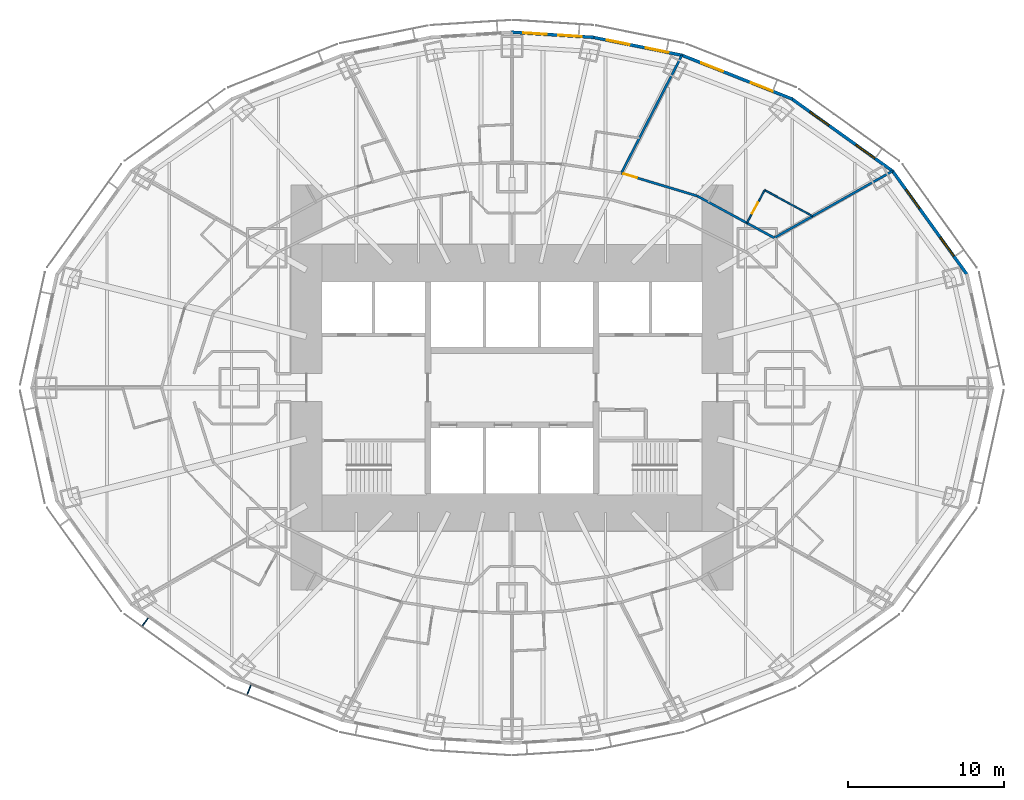
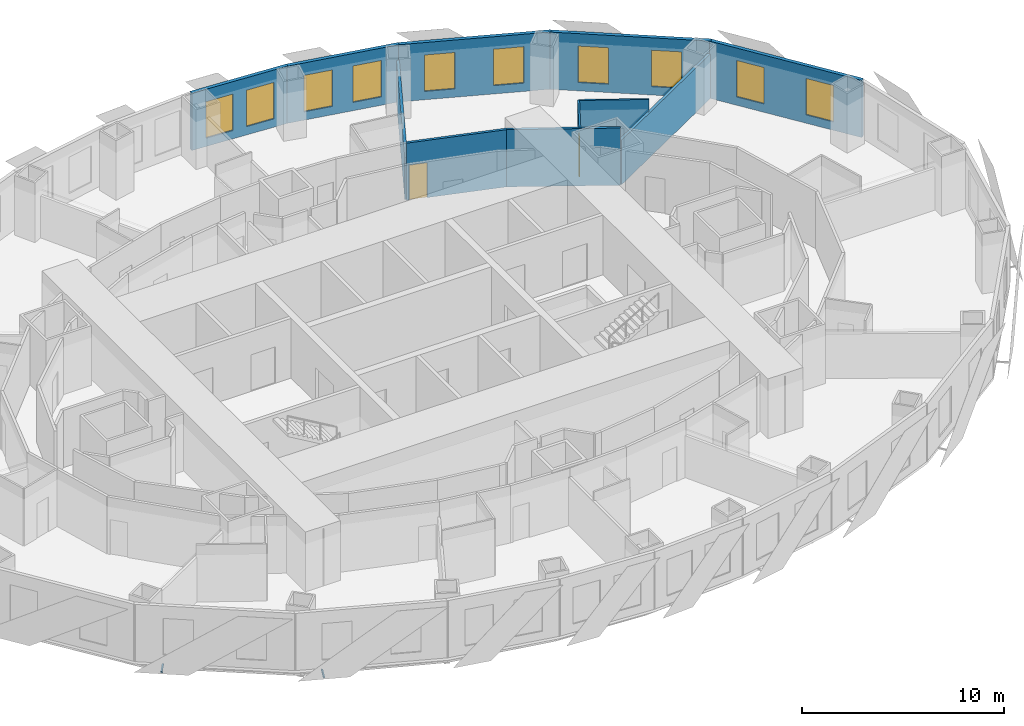
# One storey, part 10 of 15: 11 walls, 10 windows, 2 discrete accessories, 2 doors, 12 openings.
"""IFC4 building model written with IfcOpenShell, lengths in metres."""

from ifc_helpers import new_model, si_unit, direction, frame, frame_2d, origin, origin_2d, place, context, subcontext, project, spatial, rectangle, extrude, material, layer, layer_set, type_object, element, fill, save


model = new_model("IFC4")

# Units and contexts
model_context = context("Model", 3, precision=1e-05, world=origin(), true_north=direction((0.0, 1.0)))
body_context = subcontext(model_context, "Body", "Model", "MODEL_VIEW")
ifc_project = project(units=[si_unit("LENGTHUNIT", "METRE"), si_unit("AREAUNIT", "SQUARE_METRE"), si_unit("VOLUMEUNIT", "CUBIC_METRE"), si_unit("PLANEANGLEUNIT", "RADIAN"), si_unit("MASSUNIT", "GRAM", prefix="KILO")], contexts=[model_context])

# Site, building, storey
site_placement = place(None, origin())
site = spatial("IfcSite", under=ifc_project, at=site_placement, CompositionType="ELEMENT")
building_placement = place(site_placement, origin())
building = spatial("IfcBuilding", under=site, at=building_placement, Name="Lantaw Convention Tower", CompositionType="ELEMENT")
storey_placement = place(building_placement, frame((0.0, 0.0, 91.0)))
storey = spatial("IfcBuildingStorey", under=building, at=storey_placement, Name="L21", CompositionType="ELEMENT", Elevation=91.0)

# Wall, opening, door
ifc_material_1 = material(Name="Moisture resistant gypsum board on steel studs", Category="steel")
ifc_layer_1 = layer(ifc_material_1, 0.10009765625)
ifc_layer_set_1 = layer_set([ifc_layer_1], Name="Bathroom wall 100")
wall_type_1 = type_object("IfcWallType", Name="Bathroom wall 100", PredefinedType="PARTITIONING", material=ifc_layer_set_1)
wall_1_placement = place(storey_placement, frame((15.078125, 10.57568359375, 0.0), z_axis=(0.0, 0.0, 1.0), x_axis=(0.477832549678, 0.878450940274, 0.0)))
wall_1 = element("IfcWall", 1, at=wall_1_placement, inside=storey, type_object=wall_type_1, Name="Bathroom wall 100", PredefinedType="PARTITIONING", context=body_context, shape_type="SweptSolid", body=[
    extrude(rectangle(XDim=2.39990234375, YDim=0.10009765625, at=frame_2d((1.199951171875, 0.0))), origin(), (0.0, 0.0, 1.0), 3.449951171875),
])
opening_1_placement = place(wall_1_placement, frame((0.699951171875, 0.0, 0.0)))
opening_1 = element("IfcOpeningElement", 2, at=opening_1_placement, cuts=wall_1, Name="Opening L21.27", PredefinedType="OPENING", context=body_context, shape_type="SweptSolid", body=[
    extrude(rectangle(XDim=0.800048828125, YDim=2.10009765625, at=frame_2d((0.39990234375, 1.050048828125))), frame((0.0, 0.06005859375, 0.0), z_axis=(0.0, -1.0, 0.0), x_axis=(1.0, 0.0, 0.0)), (0.0, 0.0, 1.0), 0.1201171875),
])
ifc_material_2 = material(Name="Timber", Category="wood")
door_type_1 = type_object("IfcDoorType", Name="Bathroom door 800", OperationType="SINGLE_SWING_LEFT", PredefinedType="DOOR", material=ifc_material_2)
door_1_placement = place(opening_1_placement, origin())
door_1 = element("IfcDoor", 3, at=door_1_placement, inside=storey, type_object=door_type_1, Name="Bathroom door", OperationType="SINGLE_SWING_LEFT", OverallHeight=2.10009765625, OverallWidth=0.800048828125, PredefinedType="DOOR", context=body_context, shape_type="SweptSolid", body=[
    extrude(rectangle(XDim=0.800048828125, YDim=2.10009765625, at=frame_2d((0.39990234375, 1.050048828125))), frame((0.0, 0.02490234375, 0.0), z_axis=(0.0, -1.0, 0.0), x_axis=(1.0, 0.0, 0.0)), (0.0, 0.0, 1.0), 0.050048828125),
])
fill(opening_1, door_1)

# Walls
wall_2_placement = place(storey_placement, frame((16.224853515625, 12.683837890625, 0.0), z_axis=(0.0, 0.0, 1.0), x_axis=(0.878473578893, -0.477790928322, 0.0)))
element("IfcWall", 4, at=wall_2_placement, inside=storey, type_object=wall_type_1, Name="Bathroom wall 100", PredefinedType="PARTITIONING", context=body_context, shape_type="SweptSolid", body=[
    extrude(rectangle(XDim=3.48291015625, YDim=0.10009765625, at=frame_2d((1.741455078125, 0.0))), origin(), (0.0, 0.0, 1.0), 3.449951171875),
])
ifc_material_3 = material(Name="Gypsum board on steel studs, fire rated", Category="steel")
ifc_layer_2 = layer(ifc_material_3, 0.14990234375)
ifc_layer_set_2 = layer_set([ifc_layer_2], Name="Corridor wall 150 EI 60")
wall_type_2 = type_object("IfcWallType", Name="Corridor wall 150 EI 60", PredefinedType="PARTITIONING", material=ifc_layer_set_2)
wall_3_placement = place(storey_placement, frame((16.8349609375, 9.6201171875, 0.0), z_axis=(0.0, 0.0, 1.0), x_axis=(-0.878450059298, 0.477834169267, 0.0)))
element("IfcWall", 5, at=wall_3_placement, inside=storey, type_object=wall_type_2, Name="Corridor wall 150", PredefinedType="PARTITIONING", context=body_context, shape_type="SweptSolid", body=[
    extrude(rectangle(XDim=5.630859375, YDim=0.14990234375, at=frame_2d((2.8154296875, 0.0))), origin(), (0.0, 0.0, 1.0), 3.449951171875),
])

# Wall, opening, door
wall_4_placement = place(storey_placement, frame((11.888427734375, 12.310791015625, 0.0), z_axis=(0.0, 0.0, 1.0), x_axis=(-0.957564241242, 0.288219922793, 0.0)))
wall_4 = element("IfcWall", 6, at=wall_4_placement, inside=storey, type_object=wall_type_2, Name="Corridor wall 150", PredefinedType="PARTITIONING", context=body_context, shape_type="SweptSolid", body=[
    extrude(rectangle(XDim=5.0849609375, YDim=0.14990234375, at=frame_2d((2.54248046875, 0.0))), origin(), (0.0, 0.0, 1.0), 3.449951171875),
])
opening_2_placement = place(wall_4_placement, frame((4.03466796875, 0.0, 0.0)))
opening_2 = element("IfcOpeningElement", 7, at=opening_2_placement, cuts=wall_4, Name="Opening L21.28", PredefinedType="OPENING", context=body_context, shape_type="SweptSolid", body=[
    extrude(rectangle(XDim=0.89990234375, YDim=2.10009765625, at=frame_2d((0.449951171875, 1.050048828125))), frame((0.0, 0.0849609375, 0.0), z_axis=(0.0, -1.0, 0.0), x_axis=(1.0, 0.0, 0.0)), (0.0, 0.0, 1.0), 0.169921875),
])
ifc_material_4 = material(Name="Steel, fire rated", Category="steel")
door_type_2 = type_object("IfcDoorType", Name="Guest room entrance door FD30S", OperationType="SINGLE_SWING_LEFT", PredefinedType="DOOR", material=ifc_material_4)
door_2_placement = place(opening_2_placement, origin())
door_2 = element("IfcDoor", 8, at=door_2_placement, inside=storey, type_object=door_type_2, Name="Junior suite entrance door", OperationType="SINGLE_SWING_LEFT", OverallHeight=2.10009765625, OverallWidth=0.89990234375, PredefinedType="DOOR", context=body_context, shape_type="SweptSolid", body=[
    extrude(rectangle(XDim=0.89990234375, YDim=2.10009765625, at=frame_2d((0.449951171875, 1.050048828125))), frame((0.0, 0.02490234375, 0.0), z_axis=(0.0, -1.0, 0.0), x_axis=(1.0, 0.0, 0.0)), (0.0, 0.0, 1.0), 0.050048828125),
])
fill(opening_2, door_2)

# Wall, openings, windows
ifc_material_5 = material(Name="Insulated aluminium panel on steel frame", Category="steel")
ifc_layer_3 = layer(ifc_material_5, 0.199951171875)
ifc_layer_set_3 = layer_set([ifc_layer_3], Name="External wall 200")
wall_type_3 = type_object("IfcWallType", Name="External wall 200", PredefinedType="SOLIDWALL", material=ifc_layer_set_3)
wall_5_placement = place(storey_placement, frame((29.260498046875, 7.199951171875, 0.0), z_axis=(0.0, 0.0, 1.0), x_axis=(-0.583937613703, 0.811798536155, 0.0)))
wall_5 = element("IfcWall", 9, at=wall_5_placement, inside=storey, type_object=wall_type_3, Name="Facade panel wall", PredefinedType="SOLIDWALL", context=body_context, shape_type="SweptSolid", body=[
    extrude(rectangle(XDim=8.322998046875, YDim=0.199951171875, at=frame_2d((4.16162109375, 0.0))), origin(), (0.0, 0.0, 1.0), 3.449951171875),
])
opening_3_placement = place(wall_5_placement, frame((1.53076171875, 0.0, 0.5)))
opening_3 = element("IfcOpeningElement", 10, at=opening_3_placement, cuts=wall_5, Name="Opening W2", PredefinedType="OPENING", context=body_context, shape_type="SweptSolid", body=[
    extrude(rectangle(XDim=1.5, YDim=2.199951171875, at=frame_2d((0.75, 1.10009765625))), frame((0.0, 0.10986328125, 0.0), z_axis=(0.0, -1.0, 0.0), x_axis=(1.0, 0.0, 0.0)), (0.0, 0.0, 1.0), 0.219970703125),
])
opening_4_placement = place(wall_5_placement, frame((5.292236328125, 0.0, 0.5)))
opening_4 = element("IfcOpeningElement", 11, at=opening_4_placement, cuts=wall_5, Name="Opening W2", PredefinedType="OPENING", context=body_context, shape_type="SweptSolid", body=[
    extrude(rectangle(XDim=1.5, YDim=2.199951171875, at=frame_2d((0.75, 1.10009765625))), frame((0.0, 0.10986328125, 0.0), z_axis=(0.0, -1.0, 0.0), x_axis=(1.0, 0.0, 0.0)), (0.0, 0.0, 1.0), 0.219970703125),
])
ifc_material_6 = material(Name="Aluminium frame, clear insulating glass", Category="aluminium")
window_type = type_object("IfcWindowType", Name="Suite window 1500x2200", PartitioningType="SINGLE_PANEL", PredefinedType="WINDOW", material=ifc_material_6)
window_1_placement = place(opening_3_placement, origin())
window_1 = element("IfcWindow", 12, at=window_1_placement, inside=storey, type_object=window_type, Name="Guest room window", OverallHeight=2.199951171875, OverallWidth=1.5, PartitioningType="SINGLE_PANEL", PredefinedType="WINDOW", context=body_context, shape_type="SweptSolid", body=[
    extrude(rectangle(XDim=1.5, YDim=2.199951171875, at=frame_2d((0.75, 1.10009765625))), frame((0.0, 0.030029296875, 0.0), z_axis=(0.0, -1.0, 0.0), x_axis=(1.0, 0.0, 0.0)), (0.0, 0.0, 1.0), 0.06005859375),
])
fill(opening_3, window_1)
window_2_placement = place(opening_4_placement, origin())
window_2 = element("IfcWindow", 13, at=window_2_placement, inside=storey, type_object=window_type, Name="Guest room window", OverallHeight=2.199951171875, OverallWidth=1.5, PartitioningType="SINGLE_PANEL", PredefinedType="WINDOW", context=body_context, shape_type="SweptSolid", body=[
    extrude(rectangle(XDim=1.5, YDim=2.199951171875, at=frame_2d((0.75, 1.10009765625))), frame((0.0, 0.030029296875, 0.0), z_axis=(0.0, -1.0, 0.0), x_axis=(1.0, 0.0, 0.0)), (0.0, 0.0, 1.0), 0.06005859375),
])
fill(opening_4, window_2)

wall_6_placement = place(storey_placement, frame((24.482421875, 13.87451171875, 0.0), z_axis=(0.0, 0.0, 1.0), x_axis=(-0.812791321576, 0.582554948112, 0.0)))
wall_6 = element("IfcWall", 14, at=wall_6_placement, inside=storey, type_object=wall_type_3, Name="Facade panel wall", PredefinedType="SOLIDWALL", context=body_context, shape_type="SweptSolid", body=[
    extrude(rectangle(XDim=8.063232421875, YDim=0.199951171875, at=frame_2d((4.03173828125, 0.0))), origin(), (0.0, 0.0, 1.0), 3.449951171875),
])
opening_5_placement = place(wall_6_placement, frame((1.4658203125, 0.0, 0.5)))
opening_5 = element("IfcOpeningElement", 15, at=opening_5_placement, cuts=wall_6, Name="Opening W2", PredefinedType="OPENING", context=body_context, shape_type="SweptSolid", body=[
    extrude(rectangle(XDim=1.5, YDim=2.199951171875, at=frame_2d((0.75, 1.10009765625))), frame((0.0, 0.10986328125, 0.0), z_axis=(0.0, -1.0, 0.0), x_axis=(1.0, 0.0, 0.0)), (0.0, 0.0, 1.0), 0.219970703125),
])
opening_6_placement = place(wall_6_placement, frame((5.097412109375, 0.0, 0.5)))
opening_6 = element("IfcOpeningElement", 16, at=opening_6_placement, cuts=wall_6, Name="Opening W2", PredefinedType="OPENING", context=body_context, shape_type="SweptSolid", body=[
    extrude(rectangle(XDim=1.5, YDim=2.199951171875, at=frame_2d((0.75, 1.10009765625))), frame((0.0, 0.10986328125, 0.0), z_axis=(0.0, -1.0, 0.0), x_axis=(1.0, 0.0, 0.0)), (0.0, 0.0, 1.0), 0.219970703125),
])
window_3_placement = place(opening_5_placement, origin())
window_3 = element("IfcWindow", 17, at=window_3_placement, inside=storey, type_object=window_type, Name="Guest room window", OverallHeight=2.199951171875, OverallWidth=1.5, PartitioningType="SINGLE_PANEL", PredefinedType="WINDOW", context=body_context, shape_type="SweptSolid", body=[
    extrude(rectangle(XDim=1.5, YDim=2.199951171875, at=frame_2d((0.75, 1.10009765625))), frame((0.0, 0.030029296875, 0.0), z_axis=(0.0, -1.0, 0.0), x_axis=(1.0, 0.0, 0.0)), (0.0, 0.0, 1.0), 0.06005859375),
])
fill(opening_5, window_3)
window_4_placement = place(opening_6_placement, origin())
window_4 = element("IfcWindow", 18, at=window_4_placement, inside=storey, type_object=window_type, Name="Guest room window", OverallHeight=2.199951171875, OverallWidth=1.5, PartitioningType="SINGLE_PANEL", PredefinedType="WINDOW", context=body_context, shape_type="SweptSolid", body=[
    extrude(rectangle(XDim=1.5, YDim=2.199951171875, at=frame_2d((0.75, 1.10009765625))), frame((0.0, 0.030029296875, 0.0), z_axis=(0.0, -1.0, 0.0), x_axis=(1.0, 0.0, 0.0)), (0.0, 0.0, 1.0), 0.06005859375),
])
fill(opening_6, window_4)

wall_7_placement = place(storey_placement, frame((18.018310546875, 18.522705078125, 0.0), z_axis=(0.0, 0.0, 1.0), x_axis=(-0.929358351251, 0.369178892895, 0.0)))
wall_7 = element("IfcWall", 19, at=wall_7_placement, inside=storey, type_object=wall_type_3, Name="Facade panel wall", PredefinedType="SOLIDWALL", context=body_context, shape_type="SweptSolid", body=[
    extrude(rectangle(XDim=7.6923828125, YDim=0.199951171875, at=frame_2d((3.84619140625, 0.0))), origin(), (0.0, 0.0, 1.0), 3.449951171875),
])
opening_7_placement = place(wall_7_placement, frame((1.373046875, 0.0, 0.5)))
opening_7 = element("IfcOpeningElement", 20, at=opening_7_placement, cuts=wall_7, Name="Opening W2", PredefinedType="OPENING", context=body_context, shape_type="SweptSolid", body=[
    extrude(rectangle(XDim=1.5, YDim=2.199951171875, at=frame_2d((0.75, 1.10009765625))), frame((0.0, 0.10986328125, 0.0), z_axis=(0.0, -1.0, 0.0), x_axis=(1.0, 0.0, 0.0)), (0.0, 0.0, 1.0), 0.219970703125),
])
opening_8_placement = place(wall_7_placement, frame((4.819091796875, 0.0, 0.5)))
opening_8 = element("IfcOpeningElement", 21, at=opening_8_placement, cuts=wall_7, Name="Opening W2", PredefinedType="OPENING", context=body_context, shape_type="SweptSolid", body=[
    extrude(rectangle(XDim=1.5, YDim=2.199951171875, at=frame_2d((0.75, 1.10009765625))), frame((0.0, 0.10986328125, 0.0), z_axis=(0.0, -1.0, 0.0), x_axis=(1.0, 0.0, 0.0)), (0.0, 0.0, 1.0), 0.219970703125),
])
window_5_placement = place(opening_7_placement, origin())
window_5 = element("IfcWindow", 22, at=window_5_placement, inside=storey, type_object=window_type, Name="Guest room window", OverallHeight=2.199951171875, OverallWidth=1.5, PartitioningType="SINGLE_PANEL", PredefinedType="WINDOW", context=body_context, shape_type="SweptSolid", body=[
    extrude(rectangle(XDim=1.5, YDim=2.199951171875, at=frame_2d((0.75, 1.10009765625))), frame((0.0, 0.030029296875, 0.0), z_axis=(0.0, -1.0, 0.0), x_axis=(1.0, 0.0, 0.0)), (0.0, 0.0, 1.0), 0.06005859375),
])
fill(opening_7, window_5)
window_6_placement = place(opening_8_placement, origin())
window_6 = element("IfcWindow", 23, at=window_6_placement, inside=storey, type_object=window_type, Name="Guest room window", OverallHeight=2.199951171875, OverallWidth=1.5, PartitioningType="SINGLE_PANEL", PredefinedType="WINDOW", context=body_context, shape_type="SweptSolid", body=[
    extrude(rectangle(XDim=1.5, YDim=2.199951171875, at=frame_2d((0.75, 1.10009765625))), frame((0.0, 0.030029296875, 0.0), z_axis=(0.0, -1.0, 0.0), x_axis=(1.0, 0.0, 0.0)), (0.0, 0.0, 1.0), 0.06005859375),
])
fill(opening_8, window_6)

wall_8_placement = place(storey_placement, frame((10.956787109375, 21.336669921875, 0.0), z_axis=(0.0, 0.0, 1.0), x_axis=(-0.980251657452, 0.197754110105, 0.0)))
wall_8 = element("IfcWall", 24, at=wall_8_placement, inside=storey, type_object=wall_type_3, Name="Facade panel wall", PredefinedType="SOLIDWALL", context=body_context, shape_type="SweptSolid", body=[
    extrude(rectangle(XDim=5.90380859375, YDim=0.199951171875, at=frame_2d((2.951904296875, 0.0))), origin(), (0.0, 0.0, 1.0), 3.449951171875),
])
opening_9_placement = place(wall_8_placement, frame((0.92578125, 0.0, 0.5)))
opening_9 = element("IfcOpeningElement", 25, at=opening_9_placement, cuts=wall_8, Name="Opening W2", PredefinedType="OPENING", context=body_context, shape_type="SweptSolid", body=[
    extrude(rectangle(XDim=1.5, YDim=2.199951171875, at=frame_2d((0.75, 1.10009765625))), frame((0.0, 0.10986328125, 0.0), z_axis=(0.0, -1.0, 0.0), x_axis=(1.0, 0.0, 0.0)), (0.0, 0.0, 1.0), 0.219970703125),
])
opening_10_placement = place(wall_8_placement, frame((3.477783203125, 0.0, 0.5)))
opening_10 = element("IfcOpeningElement", 26, at=opening_10_placement, cuts=wall_8, Name="Opening W2", PredefinedType="OPENING", context=body_context, shape_type="SweptSolid", body=[
    extrude(rectangle(XDim=1.5, YDim=2.199951171875, at=frame_2d((0.75, 1.10009765625))), frame((0.0, 0.10986328125, 0.0), z_axis=(0.0, -1.0, 0.0), x_axis=(1.0, 0.0, 0.0)), (0.0, 0.0, 1.0), 0.219970703125),
])
window_7_placement = place(opening_9_placement, origin())
window_7 = element("IfcWindow", 27, at=window_7_placement, inside=storey, type_object=window_type, Name="Guest room window", OverallHeight=2.199951171875, OverallWidth=1.5, PartitioningType="SINGLE_PANEL", PredefinedType="WINDOW", context=body_context, shape_type="SweptSolid", body=[
    extrude(rectangle(XDim=1.5, YDim=2.199951171875, at=frame_2d((0.75, 1.10009765625))), frame((0.0, 0.030029296875, 0.0), z_axis=(0.0, -1.0, 0.0), x_axis=(1.0, 0.0, 0.0)), (0.0, 0.0, 1.0), 0.06005859375),
])
fill(opening_9, window_7)
window_8_placement = place(opening_10_placement, origin())
window_8 = element("IfcWindow", 28, at=window_8_placement, inside=storey, type_object=window_type, Name="Guest room window", OverallHeight=2.199951171875, OverallWidth=1.5, PartitioningType="SINGLE_PANEL", PredefinedType="WINDOW", context=body_context, shape_type="SweptSolid", body=[
    extrude(rectangle(XDim=1.5, YDim=2.199951171875, at=frame_2d((0.75, 1.10009765625))), frame((0.0, 0.030029296875, 0.0), z_axis=(0.0, -1.0, 0.0), x_axis=(1.0, 0.0, 0.0)), (0.0, 0.0, 1.0), 0.06005859375),
])
fill(opening_10, window_8)

wall_9_placement = place(storey_placement, frame((5.252685546875, 22.493408203125, 0.0), z_axis=(0.0, 0.0, 1.0), x_axis=(-0.998018582375, 0.062919863585, 0.0)))
wall_9 = element("IfcWall", 29, at=wall_9_placement, inside=storey, type_object=wall_type_3, Name="Facade panel wall", PredefinedType="SOLIDWALL", context=body_context, shape_type="SweptSolid", body=[
    extrude(rectangle(XDim=5.30419921875, YDim=0.199951171875, at=frame_2d((2.652099609375, 0.0))), origin(), (0.0, 0.0, 1.0), 3.449951171875),
])
opening_11_placement = place(wall_9_placement, frame((0.77587890625, 0.0, 0.5)))
opening_11 = element("IfcOpeningElement", 30, at=opening_11_placement, cuts=wall_9, Name="Opening W2", PredefinedType="OPENING", context=body_context, shape_type="SweptSolid", body=[
    extrude(rectangle(XDim=1.5, YDim=2.199951171875, at=frame_2d((0.75, 1.10009765625))), frame((0.0, 0.10986328125, 0.0), z_axis=(0.0, -1.0, 0.0), x_axis=(1.0, 0.0, 0.0)), (0.0, 0.0, 1.0), 0.219970703125),
])
opening_12_placement = place(wall_9_placement, frame((3.028076171875, 0.0, 0.5)))
opening_12 = element("IfcOpeningElement", 31, at=opening_12_placement, cuts=wall_9, Name="Opening W2", PredefinedType="OPENING", context=body_context, shape_type="SweptSolid", body=[
    extrude(rectangle(XDim=1.5, YDim=2.199951171875, at=frame_2d((0.75, 1.10009765625))), frame((0.0, 0.10986328125, 0.0), z_axis=(0.0, -1.0, 0.0), x_axis=(1.0, 0.0, 0.0)), (0.0, 0.0, 1.0), 0.219970703125),
])
window_9_placement = place(opening_11_placement, origin())
window_9 = element("IfcWindow", 32, at=window_9_placement, inside=storey, type_object=window_type, Name="Guest room window", OverallHeight=2.199951171875, OverallWidth=1.5, PartitioningType="SINGLE_PANEL", PredefinedType="WINDOW", context=body_context, shape_type="SweptSolid", body=[
    extrude(rectangle(XDim=1.5, YDim=2.199951171875, at=frame_2d((0.75, 1.10009765625))), frame((0.0, 0.030029296875, 0.0), z_axis=(0.0, -1.0, 0.0), x_axis=(1.0, 0.0, 0.0)), (0.0, 0.0, 1.0), 0.06005859375),
])
fill(opening_11, window_9)
window_10_placement = place(opening_12_placement, origin())
window_10 = element("IfcWindow", 33, at=window_10_placement, inside=storey, type_object=window_type, Name="Guest room window", OverallHeight=2.199951171875, OverallWidth=1.5, PartitioningType="SINGLE_PANEL", PredefinedType="WINDOW", context=body_context, shape_type="SweptSolid", body=[
    extrude(rectangle(XDim=1.5, YDim=2.199951171875, at=frame_2d((0.75, 1.10009765625))), frame((0.0, 0.030029296875, 0.0), z_axis=(0.0, -1.0, 0.0), x_axis=(1.0, 0.0, 0.0)), (0.0, 0.0, 1.0), 0.06005859375),
])
fill(opening_12, window_10)

# Walls
ifc_material_7 = material(Name="Gypsum board on steel studs, acoustic", Category="steel")
ifc_layer_4 = layer(ifc_material_7, 0.14990234375)
ifc_layer_set_4 = layer_set([ifc_layer_4], Name="Guest room party wall 150")
wall_type_4 = type_object("IfcWallType", Name="Guest room party wall 150", PredefinedType="PARTITIONING", material=ifc_layer_set_4)
wall_10_placement = place(storey_placement, frame((24.434814453125, 13.90869140625, 0.0), z_axis=(0.0, 0.0, 1.0), x_axis=(-0.87090601027, -0.491449612143, 0.0)))
element("IfcWall", 34, at=wall_10_placement, inside=storey, type_object=wall_type_4, Name="Guest room party wall 150", PredefinedType="PARTITIONING", context=body_context, shape_type="SweptSolid", body=[
    extrude(rectangle(XDim=8.726318359375, YDim=0.14990234375, at=frame_2d((4.36328125, 0.0))), origin(), (0.0, 0.0, 1.0), 2.693115234375),
])
wall_11_placement = place(storey_placement, frame((10.911865234375, 21.345703125, 0.0), z_axis=(0.0, 0.0, 1.0), x_axis=(-0.457327273085, -0.889298468059, 0.0)))
element("IfcWall", 35, at=wall_11_placement, inside=storey, type_object=wall_type_4, Name="Guest room party wall 150", PredefinedType="PARTITIONING", context=body_context, shape_type="SweptSolid", body=[
    extrude(rectangle(XDim=8.511474609375, YDim=0.14990234375, at=frame_2d((4.255859375, 0.0))), origin(), (0.0, 0.0, 1.0), 2.528076171875),
])

# Discrete accessories
for number, where, z_axis, x_axis, name in (
    (36, (-23.564453125, -15.06640625, -0.114990234375), (0.0, 0.0, 1.0), (0.812803733199, -0.5825376308, 0.0), "Screen bracket"),
    (37, (-16.898193359375, -19.4345703125, -0.114990234375), (0.0, 0.0, 1.0), (0.929361152748, -0.369171840425, 0.0), "Screen bracket"),
):
    element("IfcDiscreteAccessory", number, at=place(storey_placement, frame(where, z_axis=z_axis, x_axis=x_axis)), inside=storey, Name=name, PredefinedType="BRACKET", context=body_context, shape_type="SweptSolid", body=[
        extrude(rectangle(XDim=0.080078125, YDim=0.68798828125, at=origin_2d()), origin(), (0.0, 0.0, 1.0), 0.080078125),
    ])

save(model, "model.ifc")
